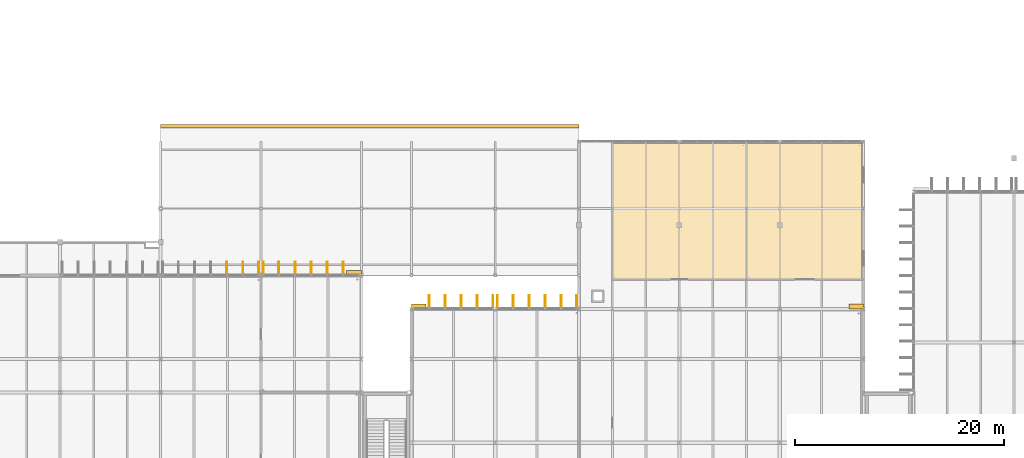
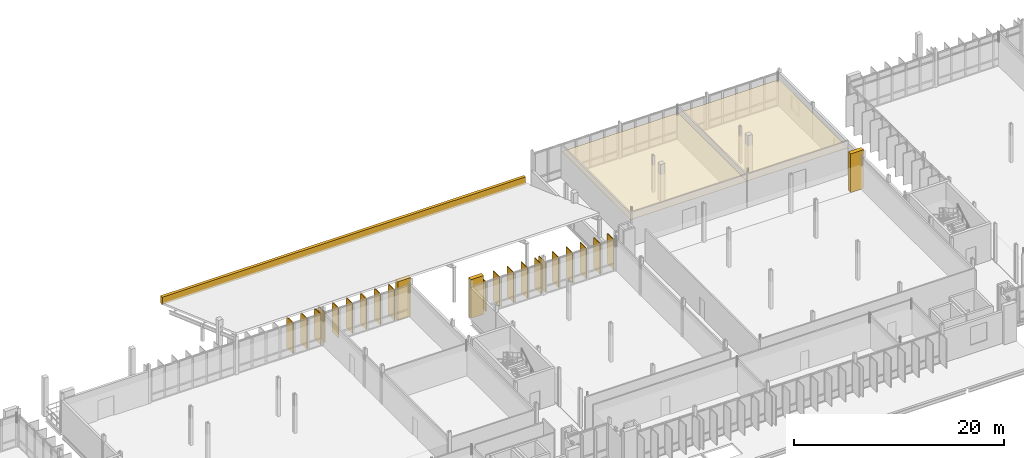
# One storey, part 104 of 107: 26 coverings.
"""IFC4 building model written with IfcOpenShell, lengths in metres."""

import ifcopenshell
import ifcopenshell.guid

model = None  # the IFC model being written
_history = None  # IfcOwnerHistory: only IFC2X3 demands one
_inside = {}  # id of a spatial element -> (the spatial element, [elements in it])
_under = {}  # id of a project, library or spatial element -> (it, [spatial elements below it])
_declared = {}  # id of a project -> (the project, [libraries it declares])
_typed = {}  # id of a type object -> (the type object, [elements of that type])
_made_of = {}  # id of a material, layer set ... -> (it, [elements and type objects made of it])


def new_model(schema):
    """Start an empty IFC model of exactly this schema.

    Asked for "IFC4X3", IfcOpenShell would pick the latest addendum, in which some entities
    have other attributes; the version numbers below select the first issue.
    IFC2X3 requires an IfcOwnerHistory on every rooted entity: one is made here for all.
    """
    global model, _history
    if schema == "IFC4X3":
        model = ifcopenshell.file(schema_version=(4, 3, 0, 0))
    else:
        model = ifcopenshell.file(schema=schema)
    _inside.clear()
    _under.clear()
    _declared.clear()
    _typed.clear()
    _made_of.clear()
    _history = None
    if model.schema == "IFC2X3":
        org = make("IfcOrganization", Name="unknown")
        user = make(
            "IfcPersonAndOrganization",
            ThePerson=make("IfcPerson", FamilyName="unknown"),
            TheOrganization=org,
        )
        app = make(
            "IfcApplication",
            ApplicationDeveloper=org,
            Version="unknown",
            ApplicationFullName="unknown",
            ApplicationIdentifier="unknown",
        )
        _history = make(
            "IfcOwnerHistory",
            OwningUser=user,
            OwningApplication=app,
            ChangeAction="ADDED",
            CreationDate=0,
        )
    return model


def make(cls, **values):
    """One entity of the class cls with the attributes given. An attribute that is None is left unset."""
    return model.create_entity(
        cls, **{name: value for name, value in values.items() if value is not None}
    )


def rooted(cls, **values):
    """An entity with a GlobalId (a new one), such as an element, a storey or a relation."""
    return make(cls, GlobalId=ifcopenshell.guid.new(), OwnerHistory=_history, **values)


def si_unit(unit_type, name, prefix=None):
    """IfcSIUnit, for example si_unit("LENGTHUNIT", "METRE", prefix="MILLI")."""
    return make("IfcSIUnit", UnitType=unit_type, Prefix=prefix, Name=name)


def assignment(units):
    """IfcUnitAssignment: the units of a project."""
    return None if units is None else make("IfcUnitAssignment", Units=units)


def point(xyz):
    """IfcCartesianPoint."""
    return None if xyz is None else make("IfcCartesianPoint", Coordinates=xyz)


def direction(xyz):
    """IfcDirection."""
    return None if xyz is None else make("IfcDirection", DirectionRatios=xyz)


def frame(location, z_axis=None, x_axis=None):
    """IfcAxis2Placement3D, a coordinate frame: its origin and axes. An axis left out is left unset."""
    return make(
        "IfcAxis2Placement3D",
        Location=point(location),
        Axis=direction(z_axis),
        RefDirection=direction(x_axis),
    )


def frame_2d(location, x_axis=None):
    """IfcAxis2Placement2D, a coordinate frame in the plane: its origin and x axis."""
    return make(
        "IfcAxis2Placement2D", Location=point(location), RefDirection=direction(x_axis)
    )


def origin():
    """The frame at (0, 0, 0) with its axes left unset."""
    return frame((0.0, 0.0, 0.0))


def origin_2d():
    """The frame at (0, 0) in the plane with its x axis left unset."""
    return frame_2d((0.0, 0.0))


def place(relative_to, where):
    """IfcLocalPlacement: puts the frame where relative to a parent placement (None: the world)."""
    return make(
        "IfcLocalPlacement", PlacementRelTo=relative_to, RelativePlacement=where
    )


def context(
    kind, dimensions, precision=None, world=None, true_north=None, identifier=None
):
    """IfcGeometricRepresentationContext, for example the 3D "Model" context."""
    return make(
        "IfcGeometricRepresentationContext",
        ContextIdentifier=identifier,
        ContextType=kind,
        CoordinateSpaceDimension=dimensions,
        Precision=precision,
        WorldCoordinateSystem=world,
        TrueNorth=true_north,
    )


def subcontext(parent, identifier, kind, view, scale=None):
    """IfcGeometricRepresentationSubContext, for example "Body" below "Model"."""
    return make(
        "IfcGeometricRepresentationSubContext",
        ContextIdentifier=identifier,
        ContextType=kind,
        ParentContext=parent,
        TargetScale=scale,
        TargetView=view,
    )


def project(units=None, contexts=None):
    """IfcProject with its units and contexts."""
    return rooted(
        "IfcProject",
        Name="project",
        RepresentationContexts=contexts,
        UnitsInContext=assignment(units),
    )


def spatial(cls, under=None, at=None, **own):
    """A site, building, storey or space (cls), placed at a placement, below another one or the project."""
    s = rooted(cls, ObjectPlacement=at, **own)
    if under is not None:
        _under.setdefault(under.id(), (under, []))[1].append(s)
    return s


def polyline(points):
    """IfcPolyline through the points."""
    return make("IfcPolyline", Points=[point(p) for p in points])


def profile(cls, at=None, kind="AREA", **sizes):
    """A parametric profile (cls). Its sizes go by their IFC names, for example OverallWidth=200.0."""
    return make(cls, ProfileType=kind, Position=at, **sizes)


def rectangle(**sizes):
    """IfcRectangleProfileDef."""
    return profile("IfcRectangleProfileDef", **sizes)


def outline(outer, holes=None, kind="AREA"):
    """IfcArbitraryClosedProfileDef: a profile drawn as a closed curve; with holes, ...WithVoids."""
    if holes is None:
        return make("IfcArbitraryClosedProfileDef", ProfileType=kind, OuterCurve=outer)
    return make(
        "IfcArbitraryProfileDefWithVoids",
        ProfileType=kind,
        OuterCurve=outer,
        InnerCurves=holes,
    )


def extrude(swept, where, along, depth):
    """IfcExtrudedAreaSolid: the profile swept, set in the frame where, extruded along a direction by depth."""
    return make(
        "IfcExtrudedAreaSolid",
        SweptArea=swept,
        Position=where,
        ExtrudedDirection=direction(along),
        Depth=depth,
    )


def shape(context_of_items, identifier, shape_type, items):
    """IfcShapeRepresentation: the items that make up one representation, for example the "Body"."""
    return make(
        "IfcShapeRepresentation",
        ContextOfItems=context_of_items,
        RepresentationIdentifier=identifier,
        RepresentationType=shape_type,
        Items=items,
    )


def material(Name=None, Category=None):
    """IfcMaterial."""
    return make("IfcMaterial", Name=Name, Category=Category)


def layer(
    of_material, thickness, ventilated=None, Name=None, Category=None, Priority=None
):
    """IfcMaterialLayer: one layer of a wall or slab, of a material (None: an air gap)."""
    return make(
        "IfcMaterialLayer",
        Material=of_material,
        LayerThickness=thickness,
        IsVentilated=ventilated,
        Name=Name,
        Category=Category,
        Priority=Priority,
    )


def layer_set(layers, Name=None):
    """IfcMaterialLayerSet."""
    return make("IfcMaterialLayerSet", MaterialLayers=layers, LayerSetName=Name)


def made_of(thing, what):
    """Note that an element or type object is made of a material, layer set ...; save() writes the relation."""
    if what is not None:
        _made_of.setdefault(what.id(), (what, []))[1].append(thing)
    return thing


def type_object(cls, material=None, **own):
    """A type object (cls), such as IfcWallType, which elements share."""
    return made_of(rooted(cls, **own), material)


def element(
    cls,
    number,
    at=None,
    inside=None,
    cuts=None,
    type_object=None,
    material=None,
    context=None,
    identifier="Body",
    shape_type=None,
    held_by="IfcProductDefinitionShape",
    body=None,
    shapes=None,
    **own,
):
    """One element of the class cls, such as IfcWall. Its Tag is "e" and its number.

    at: its placement. inside: the storey or other place that contains it. cuts: it is an
    opening in that element (IfcRelVoidsElement). A single representation is given by context,
    identifier, shape_type and body (its items); several are given by shapes. held_by: the class
    of the entity that holds the representations. save() writes the other relations.
    """
    e = rooted(cls, Tag="e%d" % number, ObjectPlacement=at, **own)
    if body is not None:
        shapes = [shape(context, identifier, shape_type, body)]
    if shapes is not None:
        e.Representation = make(held_by, Representations=shapes)
    if inside is not None:
        _inside.setdefault(inside.id(), (inside, []))[1].append(e)
    if cuts is not None:
        rooted(
            "IfcRelVoidsElement", RelatingBuildingElement=cuts, RelatedOpeningElement=e
        )
    if type_object is not None:
        _typed.setdefault(type_object.id(), (type_object, []))[1].append(e)
    return made_of(e, material)


def aggregate(whole, parts):
    """IfcRelAggregates: a whole, such as a stair, and the parts it consists of."""
    return rooted("IfcRelAggregates", RelatingObject=whole, RelatedObjects=parts)


def save(model, path):
    """Write the relations noted so far, then the file.

    IfcRelAggregates (storeys below a building ...), IfcRelContainedInSpatialStructure (elements
    in a storey), IfcRelDefinesByType, IfcRelAssociatesMaterial and IfcRelDeclares: one each for
    every whole, place, type object, material and project.
    """
    for whole, parts in _under.values():
        aggregate(whole, parts)
    for where, things in _inside.values():
        rooted(
            "IfcRelContainedInSpatialStructure",
            RelatedElements=things,
            RelatingStructure=where,
        )
    for kind, things in _typed.values():
        rooted("IfcRelDefinesByType", RelatedObjects=things, RelatingType=kind)
    for what, things in _made_of.values():
        rooted("IfcRelAssociatesMaterial", RelatedObjects=things, RelatingMaterial=what)
    for by, libraries in _declared.values():
        rooted("IfcRelDeclares", RelatingContext=by, RelatedDefinitions=libraries)
    model.write(path)


model = new_model("IFC4")

# Units and contexts
model_context = context("Model", 3, precision=1e-05, world=origin(), true_north=direction((0.0, 1.0)))
body_context = subcontext(model_context, "Body", "Model", "MODEL_VIEW")
ifc_project = project(units=[si_unit("LENGTHUNIT", "METRE"), si_unit("AREAUNIT", "SQUARE_METRE"), si_unit("VOLUMEUNIT", "CUBIC_METRE"), si_unit("PLANEANGLEUNIT", "RADIAN"), si_unit("MASSUNIT", "GRAM", prefix="KILO")], contexts=[model_context])

# Site, building, storey
site_placement = place(None, origin())
site = spatial("IfcSite", under=ifc_project, at=site_placement, CompositionType="ELEMENT")
building_placement = place(site_placement, origin())
building = spatial("IfcBuilding", under=site, at=building_placement, Name="Dunescarp Central Library", CompositionType="ELEMENT")
storey_placement = place(building_placement, frame((0.0, 0.0, 5.10009765625)))
storey = spatial("IfcBuildingStorey", under=building, at=storey_placement, Name="L01", CompositionType="ELEMENT", Elevation=5.10009765625)

# Coverings
ifc_material_1 = material(Name="Mineral-fibre acoustic ceiling tile")
ifc_layer_1 = layer(ifc_material_1, 0.0400390625)
ifc_layer_set_1 = layer_set([ifc_layer_1], Name="Mineral-fibre acoustic ceiling tile")
covering_type_1 = type_object("IfcCoveringType", Name="ARC-COV-CEIL40", PredefinedType="CEILING", material=ifc_layer_set_1)
covering_1_placement = place(storey_placement, frame((0.0, 0.0, 3.0498046875)))
element("IfcCovering", 1, at=covering_1_placement, inside=storey, type_object=covering_type_1, Name="L01 ceiling Paper & Bookbinding Conservation Lab", PredefinedType="CEILING", context=body_context, shape_type="SweptSolid", body=[
    extrude(outline(polyline([(100.780029296875, 36.3798828125), (113.6201171875, 36.3798828125), (113.6201171875, 49.47998046875), (100.780029296875, 49.47998046875), (100.780029296875, 36.3798828125)])), origin(), (0.0, 0.0, 1.0), 0.0400390625),
])
covering_2_placement = place(storey_placement, frame((0.0, 0.0, 3.0498046875)))
element("IfcCovering", 2, at=covering_2_placement, inside=storey, type_object=covering_type_1, Name="L01 ceiling Archival High-Resolution Digitisation Hall", PredefinedType="CEILING", context=body_context, shape_type="SweptSolid", body=[
    extrude(outline(polyline([(113.580078125, 36.3798828125), (124.679931640625, 36.3798828125), (124.679931640625, 49.47998046875), (113.580078125, 49.47998046875), (113.580078125, 36.3798828125)])), origin(), (0.0, 0.0, 1.0), 0.0400390625),
])
ifc_material_2 = material(Name="Glass-fibre reinforced concrete GRC", Category="concrete")
ifc_layer_2 = layer(ifc_material_2, 0.219970703125)
ifc_layer_set_2 = layer_set([ifc_layer_2], Name="Glass-fibre reinforced concrete GRC")
covering_type_2 = type_object("IfcCoveringType", Name="ARC-COV-CLER", PredefinedType="CLADDING", material=ifc_layer_set_2)
covering_3_placement = place(storey_placement, frame((77.60009765625, 51.050048828125, -0.47509765625), z_axis=(0.0, 0.0, 1.0), x_axis=(1.0, 0.0, 0.0)))
element("IfcCovering", 3, at=covering_3_placement, inside=storey, type_object=covering_type_2, Name="Courtyard cloister north GRC eave fascia", PredefinedType="CLADDING", context=body_context, shape_type="SweptSolid", body=[
    extrude(rectangle(XDim=40.0, YDim=0.320068359375, at=origin_2d()), origin(), (0.0, 0.0, 1.0), 0.85009765625),
])
ifc_layer_3 = layer(ifc_material_2, 0.090087890625)
ifc_layer_set_3 = layer_set([ifc_layer_3], Name="Glass-fibre reinforced concrete GRC")
covering_type_3 = type_object("IfcCoveringType", Name="ARC-COV-FIN1250", PredefinedType="CLADDING", material=ifc_layer_set_3)
covering_4_placement = place(storey_placement, frame((63.94189453125, 37.4619140625, 0.080078125), z_axis=(0.0, 0.0, 1.0), x_axis=(0.0, 1.0, 0.0)))
element("IfcCovering", 4, at=covering_4_placement, inside=storey, type_object=covering_type_3, Name="L01 parametric vertical facade fin FIN-L01-0369", PredefinedType="CLADDING", context=body_context, shape_type="SweptSolid", body=[
    extrude(rectangle(XDim=1.25, YDim=0.090087890625, at=origin_2d()), origin(), (0.0, 0.0, 1.0), 3.593994140625),
])
covering_5_placement = place(storey_placement, frame((65.48291015625, 37.4619140625, 0.079833984375), z_axis=(0.0, 0.0, 1.0), x_axis=(0.0, 1.0, 0.0)))
element("IfcCovering", 5, at=covering_5_placement, inside=storey, type_object=covering_type_3, Name="L01 parametric vertical facade fin FIN-L01-0370", PredefinedType="CLADDING", context=body_context, shape_type="SweptSolid", body=[
    extrude(rectangle(XDim=1.25, YDim=0.090087890625, at=origin_2d()), origin(), (0.0, 0.0, 1.0), 3.5439453125),
])
covering_6_placement = place(storey_placement, frame((66.985107421875, 37.4619140625, 0.08056640625), z_axis=(0.0, 0.0, 1.0), x_axis=(0.0, 1.0, 0.0)))
element("IfcCovering", 6, at=covering_6_placement, inside=storey, type_object=covering_type_3, Name="L01 parametric vertical facade fin FIN-L01-0371", PredefinedType="CLADDING", context=body_context, shape_type="SweptSolid", body=[
    extrude(rectangle(XDim=1.25, YDim=0.090087890625, at=origin_2d()), origin(), (0.0, 0.0, 1.0), 3.510986328125),
])
covering_7_placement = place(storey_placement, frame((67.4150390625, 37.4619140625, 0.166748046875), z_axis=(0.0, 0.0, 1.0), x_axis=(0.0, 1.0, 0.0)))
element("IfcCovering", 7, at=covering_7_placement, inside=storey, type_object=covering_type_3, Name="L01 parametric vertical facade fin FIN-L01-0372", PredefinedType="CLADDING", context=body_context, shape_type="SweptSolid", body=[
    extrude(rectangle(XDim=1.25, YDim=0.090087890625, at=origin_2d()), origin(), (0.0, 0.0, 1.0), 3.51806640625),
])
covering_8_placement = place(storey_placement, frame((68.9169921875, 37.4619140625, 0.180419921875), z_axis=(0.0, 0.0, 1.0), x_axis=(0.0, 1.0, 0.0)))
element("IfcCovering", 8, at=covering_8_placement, inside=storey, type_object=covering_type_3, Name="L01 parametric vertical facade fin FIN-L01-0373", PredefinedType="CLADDING", context=body_context, shape_type="SweptSolid", body=[
    extrude(rectangle(XDim=1.25, YDim=0.090087890625, at=origin_2d()), origin(), (0.0, 0.0, 1.0), 3.5048828125),
])
covering_9_placement = place(storey_placement, frame((70.4580078125, 37.4619140625, 0.163330078125), z_axis=(0.0, 0.0, 1.0), x_axis=(0.0, 1.0, 0.0)))
element("IfcCovering", 9, at=covering_9_placement, inside=storey, type_object=covering_type_3, Name="L01 parametric vertical facade fin FIN-L01-0374", PredefinedType="CLADDING", context=body_context, shape_type="SweptSolid", body=[
    extrude(rectangle(XDim=1.25, YDim=0.090087890625, at=origin_2d()), origin(), (0.0, 0.0, 1.0), 3.52099609375),
])
covering_10_placement = place(storey_placement, frame((72.0, 37.4619140625, 0.122802734375), z_axis=(0.0, 0.0, 1.0), x_axis=(0.0, 1.0, 0.0)))
element("IfcCovering", 10, at=covering_10_placement, inside=storey, type_object=covering_type_3, Name="L01 parametric vertical facade fin FIN-L01-0375", PredefinedType="CLADDING", context=body_context, shape_type="SweptSolid", body=[
    extrude(rectangle(XDim=1.25, YDim=0.090087890625, at=origin_2d()), origin(), (0.0, 0.0, 1.0), 3.56201171875),
])
covering_11_placement = place(storey_placement, frame((73.5419921875, 37.4619140625, 0.080078125), z_axis=(0.0, 0.0, 1.0), x_axis=(0.0, 1.0, 0.0)))
element("IfcCovering", 11, at=covering_11_placement, inside=storey, type_object=covering_type_3, Name="L01 parametric vertical facade fin FIN-L01-0376", PredefinedType="CLADDING", context=body_context, shape_type="SweptSolid", body=[
    extrude(rectangle(XDim=1.25, YDim=0.090087890625, at=origin_2d()), origin(), (0.0, 0.0, 1.0), 3.593994140625),
])
covering_12_placement = place(storey_placement, frame((75.0830078125, 37.4619140625, 0.079833984375), z_axis=(0.0, 0.0, 1.0), x_axis=(0.0, 1.0, 0.0)))
element("IfcCovering", 12, at=covering_12_placement, inside=storey, type_object=covering_type_3, Name="L01 parametric vertical facade fin FIN-L01-0377", PredefinedType="CLADDING", context=body_context, shape_type="SweptSolid", body=[
    extrude(rectangle(XDim=1.25, YDim=0.090087890625, at=origin_2d()), origin(), (0.0, 0.0, 1.0), 3.5439453125),
])
covering_13_placement = place(storey_placement, frame((83.304931640625, 34.261962890625, 0.180419921875), z_axis=(0.0, 0.0, 1.0), x_axis=(0.0, 1.0, 0.0)))
element("IfcCovering", 13, at=covering_13_placement, inside=storey, type_object=covering_type_3, Name="L01 parametric vertical facade fin FIN-L01-0605", PredefinedType="CLADDING", context=body_context, shape_type="SweptSolid", body=[
    extrude(rectangle(XDim=1.25, YDim=0.090087890625, at=origin_2d()), origin(), (0.0, 0.0, 1.0), 3.455078125),
])
covering_14_placement = place(storey_placement, frame((84.8349609375, 34.261962890625, 0.16357421875), z_axis=(0.0, 0.0, 1.0), x_axis=(0.0, 1.0, 0.0)))
element("IfcCovering", 14, at=covering_14_placement, inside=storey, type_object=covering_type_3, Name="L01 parametric vertical facade fin FIN-L01-0606", PredefinedType="CLADDING", context=body_context, shape_type="SweptSolid", body=[
    extrude(rectangle(XDim=1.25, YDim=0.090087890625, at=origin_2d()), origin(), (0.0, 0.0, 1.0), 3.470947265625),
])
covering_15_placement = place(storey_placement, frame((86.364990234375, 34.261962890625, 0.123046875), z_axis=(0.0, 0.0, 1.0), x_axis=(0.0, 1.0, 0.0)))
element("IfcCovering", 15, at=covering_15_placement, inside=storey, type_object=covering_type_3, Name="L01 parametric vertical facade fin FIN-L01-0607", PredefinedType="CLADDING", context=body_context, shape_type="SweptSolid", body=[
    extrude(rectangle(XDim=1.25, YDim=0.090087890625, at=origin_2d()), origin(), (0.0, 0.0, 1.0), 3.511962890625),
])
covering_16_placement = place(storey_placement, frame((87.89501953125, 34.261962890625, 0.079833984375), z_axis=(0.0, 0.0, 1.0), x_axis=(0.0, 1.0, 0.0)))
element("IfcCovering", 16, at=covering_16_placement, inside=storey, type_object=covering_type_3, Name="L01 parametric vertical facade fin FIN-L01-0608", PredefinedType="CLADDING", context=body_context, shape_type="SweptSolid", body=[
    extrude(rectangle(XDim=1.25, YDim=0.090087890625, at=origin_2d()), origin(), (0.0, 0.0, 1.0), 3.5439453125),
])
covering_17_placement = place(storey_placement, frame((89.385009765625, 34.261962890625, 0.080078125), z_axis=(0.0, 0.0, 1.0), x_axis=(0.0, 1.0, 0.0)))
element("IfcCovering", 17, at=covering_17_placement, inside=storey, type_object=covering_type_3, Name="L01 parametric vertical facade fin FIN-L01-0609", PredefinedType="CLADDING", context=body_context, shape_type="SweptSolid", body=[
    extrude(rectangle(XDim=1.25, YDim=0.090087890625, at=origin_2d()), origin(), (0.0, 0.0, 1.0), 3.493896484375),
])
covering_18_placement = place(storey_placement, frame((89.81494140625, 34.261962890625, 0.1669921875), z_axis=(0.0, 0.0, 1.0), x_axis=(0.0, 1.0, 0.0)))
element("IfcCovering", 18, at=covering_18_placement, inside=storey, type_object=covering_type_3, Name="L01 parametric vertical facade fin FIN-L01-0610", PredefinedType="CLADDING", context=body_context, shape_type="SweptSolid", body=[
    extrude(rectangle(XDim=1.25, YDim=0.090087890625, at=origin_2d()), origin(), (0.0, 0.0, 1.0), 3.468017578125),
])
covering_19_placement = place(storey_placement, frame((91.304931640625, 34.261962890625, 0.180419921875), z_axis=(0.0, 0.0, 1.0), x_axis=(0.0, 1.0, 0.0)))
element("IfcCovering", 19, at=covering_19_placement, inside=storey, type_object=covering_type_3, Name="L01 parametric vertical facade fin FIN-L01-0611", PredefinedType="CLADDING", context=body_context, shape_type="SweptSolid", body=[
    extrude(rectangle(XDim=1.25, YDim=0.090087890625, at=origin_2d()), origin(), (0.0, 0.0, 1.0), 3.455078125),
])
covering_20_placement = place(storey_placement, frame((92.8349609375, 34.261962890625, 0.16357421875), z_axis=(0.0, 0.0, 1.0), x_axis=(0.0, 1.0, 0.0)))
element("IfcCovering", 20, at=covering_20_placement, inside=storey, type_object=covering_type_3, Name="L01 parametric vertical facade fin FIN-L01-0612", PredefinedType="CLADDING", context=body_context, shape_type="SweptSolid", body=[
    extrude(rectangle(XDim=1.25, YDim=0.090087890625, at=origin_2d()), origin(), (0.0, 0.0, 1.0), 3.470947265625),
])
covering_21_placement = place(storey_placement, frame((94.364990234375, 34.261962890625, 0.123046875), z_axis=(0.0, 0.0, 1.0), x_axis=(0.0, 1.0, 0.0)))
element("IfcCovering", 21, at=covering_21_placement, inside=storey, type_object=covering_type_3, Name="L01 parametric vertical facade fin FIN-L01-0613", PredefinedType="CLADDING", context=body_context, shape_type="SweptSolid", body=[
    extrude(rectangle(XDim=1.25, YDim=0.090087890625, at=origin_2d()), origin(), (0.0, 0.0, 1.0), 3.511962890625),
])
covering_22_placement = place(storey_placement, frame((95.89501953125, 34.261962890625, 0.079833984375), z_axis=(0.0, 0.0, 1.0), x_axis=(0.0, 1.0, 0.0)))
element("IfcCovering", 22, at=covering_22_placement, inside=storey, type_object=covering_type_3, Name="L01 parametric vertical facade fin FIN-L01-0614", PredefinedType="CLADDING", context=body_context, shape_type="SweptSolid", body=[
    extrude(rectangle(XDim=1.25, YDim=0.090087890625, at=origin_2d()), origin(), (0.0, 0.0, 1.0), 3.5439453125),
])
covering_23_placement = place(storey_placement, frame((97.385009765625, 34.261962890625, 0.080078125), z_axis=(0.0, 0.0, 1.0), x_axis=(0.0, 1.0, 0.0)))
element("IfcCovering", 23, at=covering_23_placement, inside=storey, type_object=covering_type_3, Name="L01 parametric vertical facade fin FIN-L01-0615", PredefinedType="CLADDING", context=body_context, shape_type="SweptSolid", body=[
    extrude(rectangle(XDim=1.25, YDim=0.090087890625, at=origin_2d()), origin(), (0.0, 0.0, 1.0), 3.493896484375),
])
ifc_layer_4 = layer(ifc_material_2, 0.449951171875)
ifc_layer_set_4 = layer_set([ifc_layer_4], Name="Glass-fibre reinforced concrete GRC")
covering_type_4 = type_object("IfcCoveringType", Name="ARC-COV-PORTAL", PredefinedType="CLADDING", material=ifc_layer_set_4)
for number, where, z_axis, x_axis, name in (
    (24, (76.10009765625, 37.02001953125, 0.0), (0.0, 0.0, 1.0), (1.0, 0.0, 0.0), "V2 sculpted GRC portal pier PRT-BAND-V2-008"),
    (25, (82.300048828125, 33.820068359375, 0.0), (0.0, 0.0, 1.0), (1.0, 0.0, 0.0), "V3 sculpted GRC portal pier PRT-BAND-V3-032"),
    (26, (124.10009765625, 33.820068359375, 0.0), (0.0, 0.0, 1.0), (1.0, 0.0, 0.0), "V3 sculpted GRC portal pier PRT-BAND-V3-034"),
):
    element("IfcCovering", number, at=place(storey_placement, frame(where, z_axis=z_axis, x_axis=x_axis)), inside=storey, type_object=covering_type_4, Name=name, PredefinedType="CLADDING", context=body_context, shape_type="SweptSolid", body=[
        extrude(rectangle(XDim=1.39990234375, YDim=0.449951171875, at=origin_2d()), origin(), (0.0, 0.0, 1.0), 4.5),
    ])

save(model, "model.ifc")
